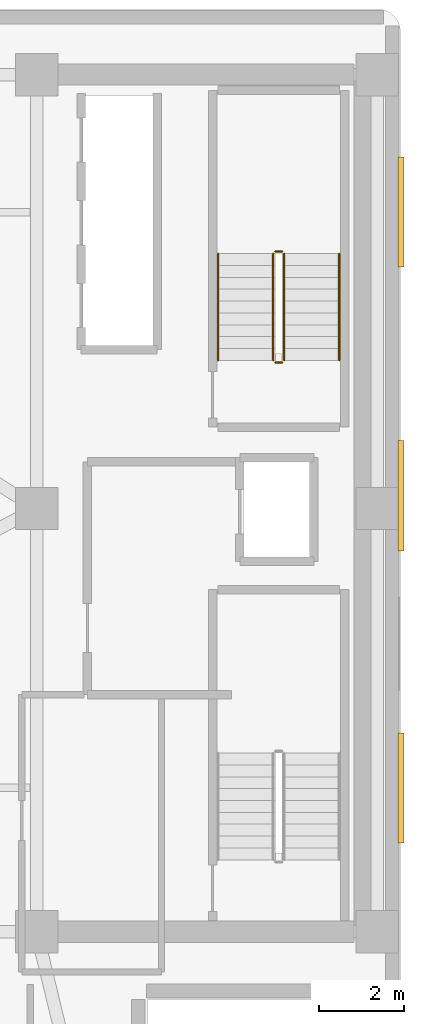
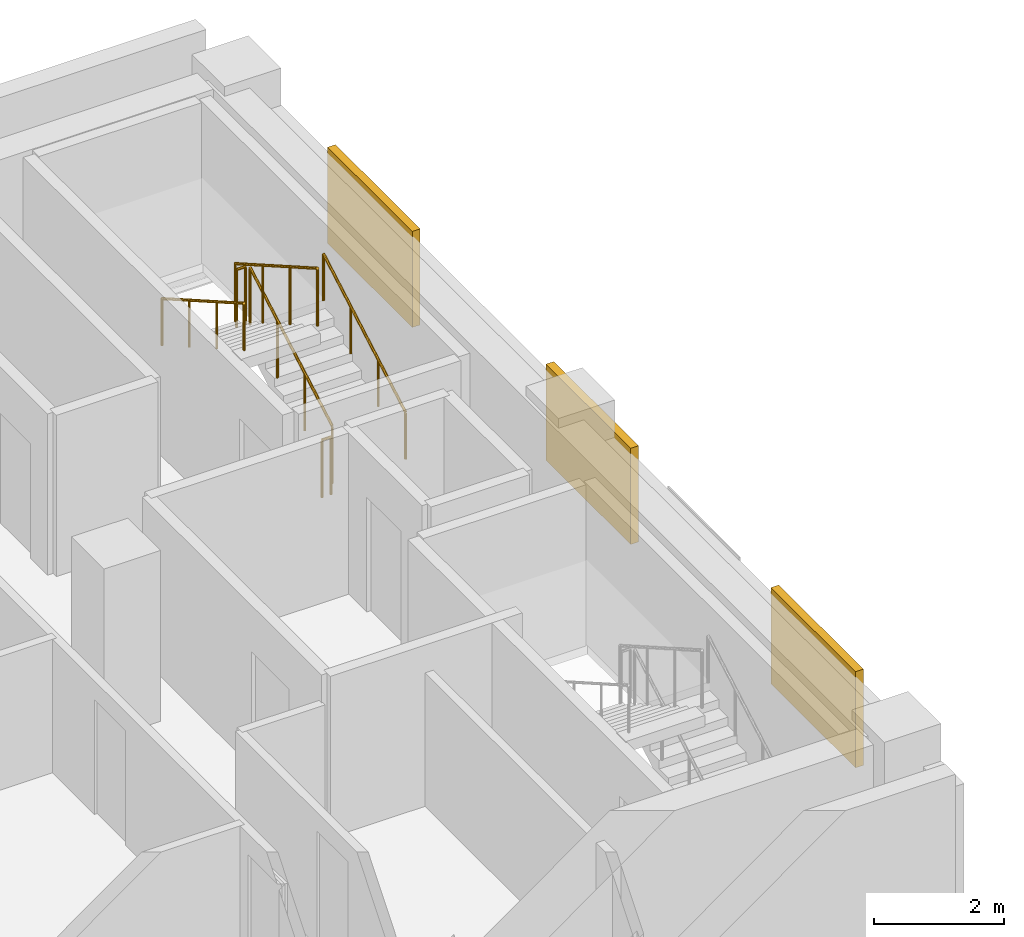
# One storey, part 18 of 18: 6 railings, 3 shading devices.
"""IFC4 building model written with IfcOpenShell, lengths in metres."""

from ifc_helpers import new_model, si_unit, direction, frame, origin, origin_2d, place, context, subcontext, project, spatial, rectangle, circle, extrude, material, layer, layer_set, type_object, element, save


model = new_model("IFC4")

# Units and contexts
model_context = context("Model", 3, precision=1e-05, world=origin(), true_north=direction((0.0, 1.0)))
body_context = subcontext(model_context, "Body", "Model", "MODEL_VIEW")
ifc_project = project(units=[si_unit("LENGTHUNIT", "METRE"), si_unit("AREAUNIT", "SQUARE_METRE"), si_unit("VOLUMEUNIT", "CUBIC_METRE"), si_unit("PLANEANGLEUNIT", "RADIAN"), si_unit("MASSUNIT", "GRAM", prefix="KILO")], contexts=[model_context])

# Site, building, storey
site_placement = place(None, origin())
site = spatial("IfcSite", under=ifc_project, at=site_placement, CompositionType="ELEMENT")
building_placement = place(site_placement, origin())
building = spatial("IfcBuilding", under=site, at=building_placement, Name="Kuzgunbayir Cultural Tower", CompositionType="ELEMENT")
storey_placement = place(building_placement, frame((0.0, 0.0, 53.199951171875)))
storey = spatial("IfcBuildingStorey", under=building, at=storey_placement, Name="L14", CompositionType="ELEMENT", Elevation=53.199951171875)

# Railings
ifc_material_1 = material(Name="Brushed Stainless Steel", Category="steel")
ifc_layer_1 = layer(ifc_material_1, 0.050048828125)
ifc_layer_set_1 = layer_set([ifc_layer_1], Name="Brushed Stainless Steel")
railing_type_1 = type_object("IfcRailingType", Name="RLG-STAIR-HANDRAIL", PredefinedType="HANDRAIL", material=ifc_layer_set_1)
railing_1_placement = place(storey_placement, frame((71.75, 35.5, 0.16015625)))
element("IfcRailing", 1, at=railing_1_placement, inside=storey, type_object=railing_type_1, Name="L14 ST-4 stair handrail 1", PredefinedType="HANDRAIL", context=body_context, shape_type="SweptSolid", body=[
    extrude(circle(Radius=0.02392578125, at=origin_2d()), frame((0.0, 0.0, 0.8759765625), z_axis=(0.0, 0.868253494771, 0.496120820787), x_axis=(-1.0, 0.0, 0.0)), (0.0, 0.0, 1.0), 2.90234375),
    extrude(circle(Radius=0.02099609375, at=origin_2d()), origin(), (0.0, 0.0, 1.0), 0.851806640625),
    extrude(circle(Radius=0.02099609375, at=origin_2d()), frame((0.0, 0.840087890625, 0.47998046875)), (0.0, 0.0, 1.0), 0.851806640625),
    extrude(circle(Radius=0.02099609375, at=origin_2d()), frame((0.0, 1.679931640625, 0.9599609375)), (0.0, 0.0, 1.0), 0.851806640625),
    extrude(circle(Radius=0.02099609375, at=origin_2d()), frame((0.0, 2.52001953125, 1.43994140625)), (0.0, 0.0, 1.0), 0.851806640625),
])
railing_2_placement = place(storey_placement, frame((68.889892578125, 38.02001953125, 1.760009765625)))
element("IfcRailing", 2, at=railing_2_placement, inside=storey, type_object=railing_type_1, Name="L14 ST-4 stair handrail 2", PredefinedType="HANDRAIL", context=body_context, shape_type="SweptSolid", body=[
    extrude(circle(Radius=0.02392578125, at=origin_2d()), frame((0.0, 0.0, 0.8759765625), z_axis=(0.0, -0.868253494771, 0.496120820787), x_axis=(1.0, 0.0, 0.0)), (0.0, 0.0, 1.0), 2.90234375),
    extrude(circle(Radius=0.02099609375, at=origin_2d()), origin(), (0.0, 0.0, 1.0), 0.851806640625),
    extrude(circle(Radius=0.02099609375, at=origin_2d()), frame((0.0, -0.840087890625, 0.47998046875)), (0.0, 0.0, 1.0), 0.851806640625),
    extrude(circle(Radius=0.02099609375, at=origin_2d()), frame((0.0, -1.679931640625, 0.9599609375)), (0.0, 0.0, 1.0), 0.851806640625),
    extrude(circle(Radius=0.02099609375, at=origin_2d()), frame((0.0, -2.52001953125, 1.43994140625)), (0.0, 0.0, 1.0), 0.851806640625),
])
ifc_material_2 = material(Name="Painted Steel Balustrade", Category="steel")
ifc_layer_2 = layer(ifc_material_2, 0.06005859375)
ifc_layer_set_2 = layer_set([ifc_layer_2], Name="Painted Steel Balustrade")
railing_type_2 = type_object("IfcRailingType", Name="RLG-WELL-GUARD", PredefinedType="GUARDRAIL", material=ifc_layer_set_2)
railing_3_placement = place(storey_placement, frame((70.449951171875, 35.5, 0.16015625)))
element("IfcRailing", 3, at=railing_3_placement, inside=storey, type_object=railing_type_2, Name="L14 ST-4 stair guard 1", PredefinedType="GUARDRAIL", context=body_context, shape_type="SweptSolid", body=[
    extrude(circle(Radius=0.02392578125, at=origin_2d()), frame((0.0, 0.0, 1.076171875), z_axis=(0.0, 0.868253494771, 0.496120820787), x_axis=(-1.0, 0.0, 0.0)), (0.0, 0.0, 1.0), 2.90234375),
    extrude(circle(Radius=0.02099609375, at=origin_2d()), origin(), (0.0, 0.0, 1.0), 1.052001953125),
    extrude(circle(Radius=0.02099609375, at=origin_2d()), frame((0.0, 0.840087890625, 0.47998046875)), (0.0, 0.0, 1.0), 1.052001953125),
    extrude(circle(Radius=0.02099609375, at=origin_2d()), frame((0.0, 1.679931640625, 0.9599609375)), (0.0, 0.0, 1.0), 1.052001953125),
    extrude(circle(Radius=0.02099609375, at=origin_2d()), frame((0.0, 2.52001953125, 1.43994140625)), (0.0, 0.0, 1.0), 1.052001953125),
])
railing_4_placement = place(storey_placement, frame((70.39990234375, 38.070068359375, 1.60009765625)))
element("IfcRailing", 4, at=railing_4_placement, inside=storey, type_object=railing_type_2, Name="L14 ST-4 stair guard 2", PredefinedType="GUARDRAIL", context=body_context, shape_type="SweptSolid", body=[
    extrude(circle(Radius=0.02392578125, at=origin_2d()), frame((0.0, 0.0, 1.076171875), z_axis=(-1.0, 0.0, 0.0), x_axis=(0.0, -1.0, 0.0)), (0.0, 0.0, 1.0), 0.159912109375),
    extrude(circle(Radius=0.02099609375, at=origin_2d()), origin(), (0.0, 0.0, 1.0), 1.052001953125),
    extrude(circle(Radius=0.02099609375, at=origin_2d()), frame((-0.159912109375, 0.0, 0.0)), (0.0, 0.0, 1.0), 1.052001953125),
])
railing_5_placement = place(storey_placement, frame((70.18994140625, 38.02001953125, 1.760009765625)))
element("IfcRailing", 5, at=railing_5_placement, inside=storey, type_object=railing_type_2, Name="L14 ST-4 stair guard 3", PredefinedType="GUARDRAIL", context=body_context, shape_type="SweptSolid", body=[
    extrude(circle(Radius=0.02392578125, at=origin_2d()), frame((0.0, 0.0, 1.076171875), z_axis=(0.0, -0.868253494771, 0.496120820787), x_axis=(1.0, 0.0, 0.0)), (0.0, 0.0, 1.0), 2.90234375),
    extrude(circle(Radius=0.02099609375, at=origin_2d()), origin(), (0.0, 0.0, 1.0), 1.052001953125),
    extrude(circle(Radius=0.02099609375, at=origin_2d()), frame((0.0, -0.840087890625, 0.47998046875)), (0.0, 0.0, 1.0), 1.052001953125),
    extrude(circle(Radius=0.02099609375, at=origin_2d()), frame((0.0, -1.679931640625, 0.9599609375)), (0.0, 0.0, 1.0), 1.052001953125),
    extrude(circle(Radius=0.02099609375, at=origin_2d()), frame((0.0, -2.52001953125, 1.43994140625)), (0.0, 0.0, 1.0), 1.052001953125),
])
railing_6_placement = place(storey_placement, frame((70.39990234375, 35.449951171875, 0.0)))
element("IfcRailing", 6, at=railing_6_placement, inside=storey, type_object=railing_type_2, Name="L14 ST-4 stair guard 4", PredefinedType="GUARDRAIL", context=body_context, shape_type="SweptSolid", body=[
    extrude(circle(Radius=0.02392578125, at=origin_2d()), frame((0.0, 0.0, 1.076171875), z_axis=(-1.0, 0.0, 0.0), x_axis=(0.0, -1.0, 0.0)), (0.0, 0.0, 1.0), 0.159912109375),
    extrude(circle(Radius=0.02099609375, at=origin_2d()), origin(), (0.0, 0.0, 1.0), 1.052001953125),
    extrude(circle(Radius=0.02099609375, at=origin_2d()), frame((-0.159912109375, 0.0, 0.0)), (0.0, 0.0, 1.0), 1.052001953125),
])

# Shading devices
ifc_material_3 = material(Name="Perforated Bronze-Anodised Aluminium", Category="aluminium")
shading_device_type = type_object("IfcShadingDeviceType", Name="SHD-SOLAR-BRONZE", PredefinedType="JALOUSIE", material=ifc_material_3)
for number, where, z_axis, x_axis, name in (
    (7, (73.2099609375, 25.39990234375, 0.7998046875), (0.0, 0.0, 1.0), (1.0, 0.0, 0.0), "L14 Companion East Bronze Solar Screen 25"),
    (8, (73.2099609375, 32.300048828125, 0.7998046875), (0.0, 0.0, 1.0), (1.0, 0.0, 0.0), "L14 Companion East Bronze Solar Screen 32"),
    (9, (73.2099609375, 39.0, 0.7998046875), (0.0, 0.0, 1.0), (1.0, 0.0, 0.0), "L14 Companion East Bronze Solar Screen 39"),
):
    element("IfcShadingDevice", number, at=place(storey_placement, frame(where, z_axis=z_axis, x_axis=x_axis)), inside=storey, type_object=shading_device_type, Name=name, PredefinedType="JALOUSIE", context=body_context, shape_type="SweptSolid", body=[
        extrude(rectangle(XDim=0.139892578125, YDim=2.60009765625, at=origin_2d()), origin(), (0.0, 0.0, 1.0), 1.800048828125),
    ])

save(model, "model.ifc")
